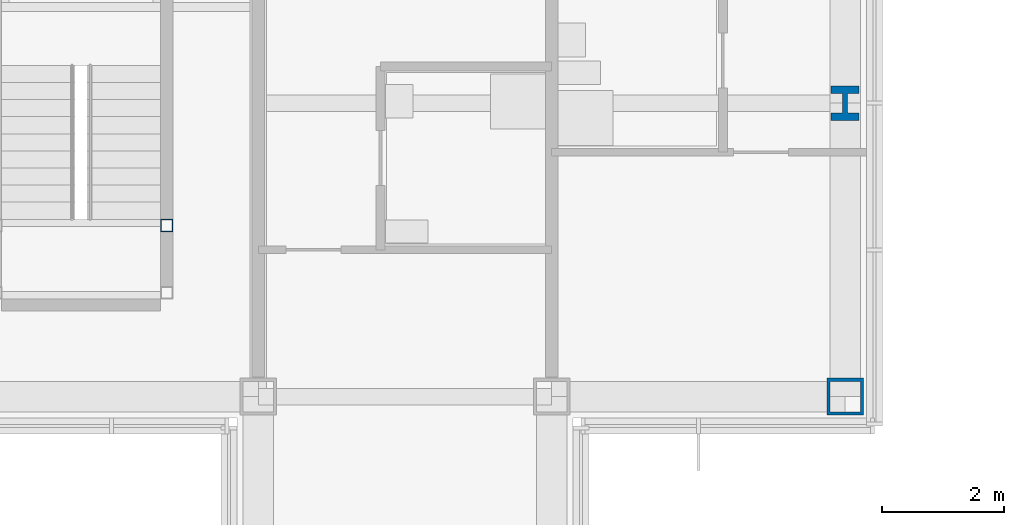
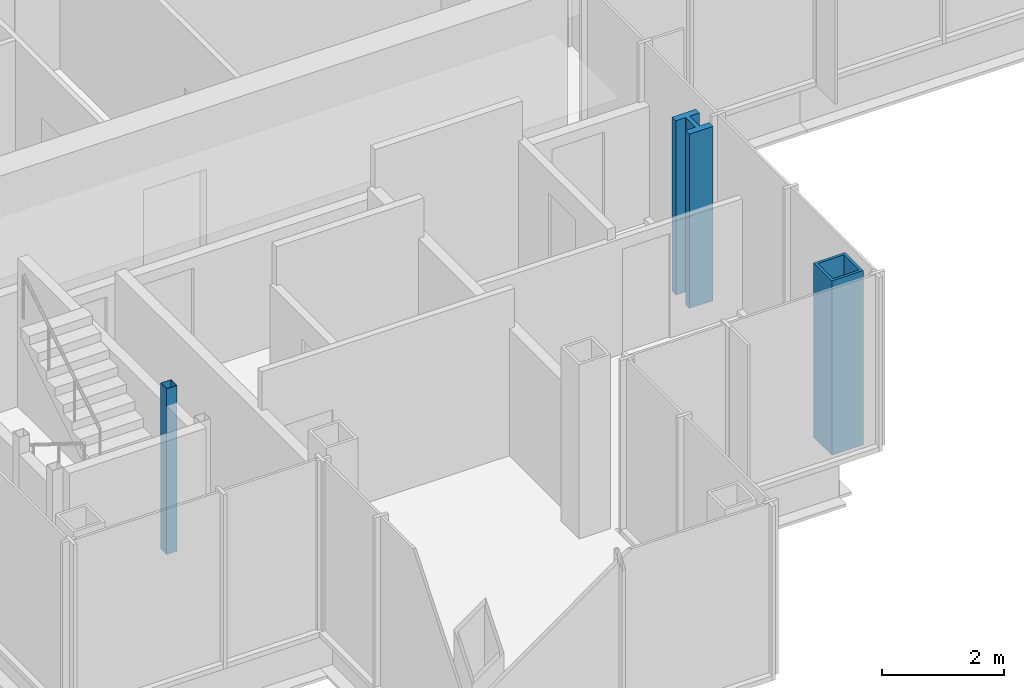
# One storey, part 2 of 15: 3 columns.
"""IFC4 building model written with IfcOpenShell, lengths in metres."""

from ifc_helpers import new_model, si_unit, direction, frame, origin, origin_2d, place, context, subcontext, project, spatial, hollow_rectangle, i_section, extrude, material, material_profile, profile_set, type_object, element, save


model = new_model("IFC4")

# Units and contexts
model_context = context("Model", 3, precision=1e-05, world=origin(), true_north=direction((0.0, 1.0)))
body_context = subcontext(model_context, "Body", "Model", "MODEL_VIEW")
ifc_project = project(units=[si_unit("LENGTHUNIT", "METRE"), si_unit("AREAUNIT", "SQUARE_METRE"), si_unit("VOLUMEUNIT", "CUBIC_METRE"), si_unit("PLANEANGLEUNIT", "RADIAN"), si_unit("MASSUNIT", "GRAM", prefix="KILO")], contexts=[model_context])

# Site, building, storey
site_placement = place(None, origin())
site = spatial("IfcSite", under=ifc_project, at=site_placement, CompositionType="ELEMENT")
building_placement = place(site_placement, origin())
building = spatial("IfcBuilding", under=site, at=building_placement, Name="Kvirike Care Tower", CompositionType="ELEMENT")
storey_placement = place(building_placement, frame((0.0, 0.0, 212.0)))
storey = spatial("IfcBuildingStorey", under=building, at=storey_placement, Name="L58", CompositionType="ELEMENT", Elevation=212.0)

# Columns
ifc_material_1 = material(Name="Steel S460", Category="steel")
ifc_material_profile_1 = material_profile(ifc_material_1, hollow_rectangle(XDim=0.60009765625, YDim=0.60009765625, WallThickness=0.050048828125, at=origin_2d()), Name="BX 600x600x50")
ifc_profile_set_1 = profile_set([ifc_material_profile_1], Name="Steel S460")
column_type_1 = type_object("IfcColumnType", Name="COLUMN BX 600x600x50", PredefinedType="COLUMN", material=ifc_profile_set_1)
column_1_placement = place(storey_placement, frame((28.800048828125, 19.199951171875, 0.0), z_axis=(0.0, 0.0, 1.0), x_axis=(0.0, 1.0, 0.0)))
element("IfcColumn", 1, at=column_1_placement, inside=storey, type_object=column_type_1, Name="Column E9 L58", PredefinedType="COLUMN", context=body_context, shape_type="SweptSolid", body=[
    extrude(hollow_rectangle(XDim=0.60009765625, YDim=0.60009765625, WallThickness=0.050048828125, at=origin_2d()), origin(), (0.0, 0.0, 1.0), 3.5),
])
ifc_material_2 = material(Name="Steel S460", Category="steel")
ifc_material_profile_2 = material_profile(ifc_material_2, i_section(OverallWidth=0.4541015625, OverallDepth=0.569091796875, WebThickness=0.077880859375, FlangeThickness=0.125, FilletRadius=0.014892578125, at=origin_2d()), Name="HD 400x1086")
ifc_profile_set_2 = profile_set([ifc_material_profile_2], Name="Steel S460")
column_type_2 = type_object("IfcColumnType", Name="COLUMN HD 400x1086", PredefinedType="COLUMN", material=ifc_profile_set_2)
column_2_placement = place(storey_placement, frame((28.800048828125, 24.0, 0.0), z_axis=(0.0, 0.0, 1.0), x_axis=(1.0, 0.0, 0.0)))
element("IfcColumn", 2, at=column_2_placement, inside=storey, type_object=column_type_2, Name="Column F9 L58", PredefinedType="COLUMN", context=body_context, shape_type="SweptSolid", body=[
    extrude(i_section(OverallWidth=0.4541015625, OverallDepth=0.569091796875, WebThickness=0.077880859375, FlangeThickness=0.125, FilletRadius=0.014892578125, at=origin_2d()), origin(), (0.0, 0.0, 1.0), 3.5),
])
ifc_material_3 = material(Name="Steel S460", Category="steel")
ifc_material_profile_3 = material_profile(ifc_material_3, hollow_rectangle(XDim=0.199951171875, YDim=0.199951171875, WallThickness=0.008056640625, at=origin_2d()), Name="SHS 200x200x8")
ifc_profile_set_3 = profile_set([ifc_material_profile_3], Name="Steel S460")
column_type_3 = type_object("IfcColumnType", Name="STAIR POST SHS 200x200x8", PredefinedType="COLUMN", material=ifc_profile_set_3)
column_3_placement = place(storey_placement, frame((17.699951171875, 22.0, 0.0), z_axis=(0.0, 0.0, 1.0), x_axis=(1.0, 0.0, 0.0)))
element("IfcColumn", 3, at=column_3_placement, inside=storey, type_object=column_type_3, Name="Stair 5 post 4 L58", PredefinedType="COLUMN", context=body_context, shape_type="SweptSolid", body=[
    extrude(hollow_rectangle(XDim=0.199951171875, YDim=0.199951171875, WallThickness=0.008056640625, at=origin_2d()), origin(), (0.0, 0.0, 1.0), 3.330078125),
])

save(model, "model.ifc")
